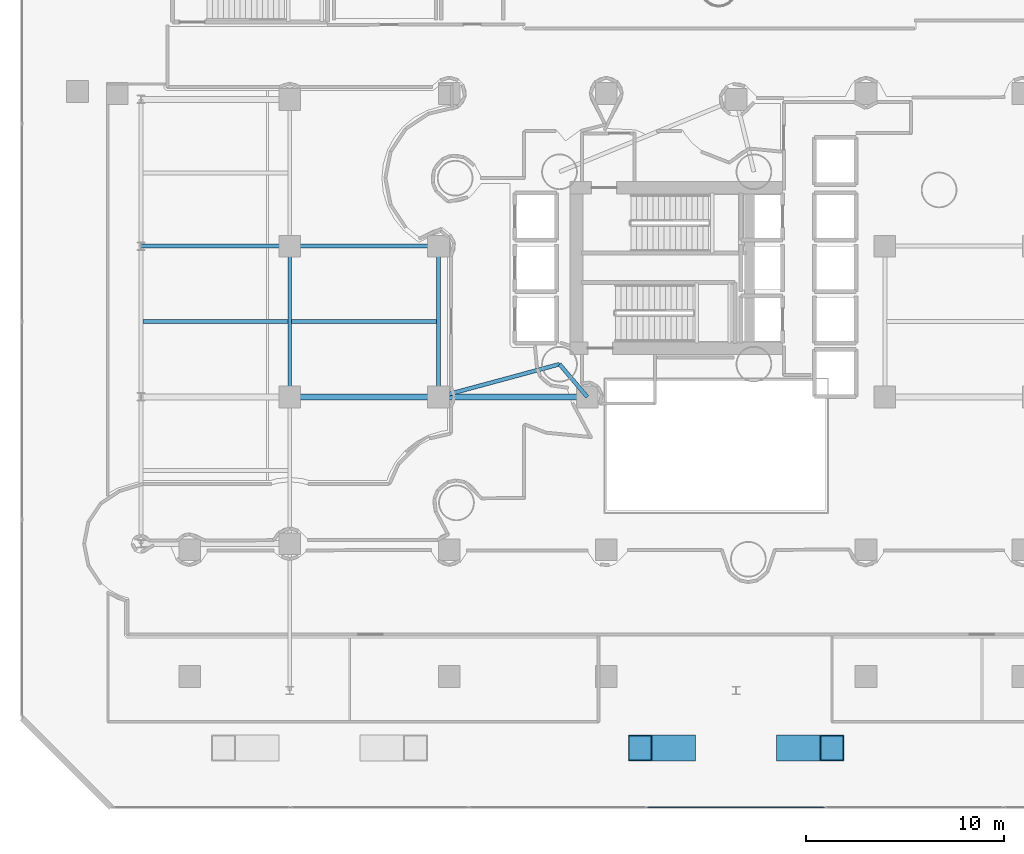
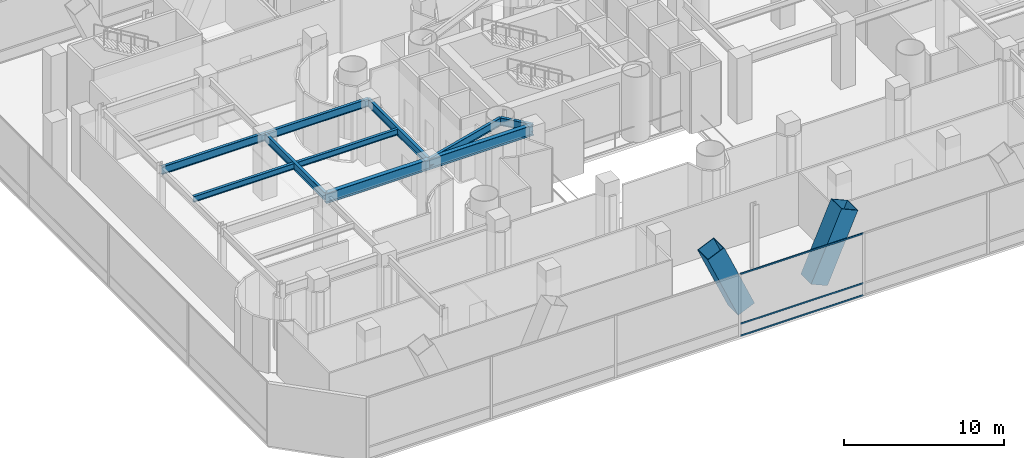
# One storey, part 11 of 42: 10 beams, 5 members, 1 element without a shape of its own.
"""IFC4 building model written with IfcOpenShell, lengths in metres."""

from ifc_helpers import new_model, si_unit, direction, frame, origin, origin_2d, place, context, subcontext, project, spatial, hollow_rectangle, i_section, extrude, material, layer, layer_set, material_profile, profile_set, type_object, element, aggregate, save


model = new_model("IFC4")

# Units and contexts
model_context = context("Model", 3, precision=1e-05, world=origin(), true_north=direction((0.0, 1.0)))
body_context = subcontext(model_context, "Body", "Model", "MODEL_VIEW")
ifc_project = project(units=[si_unit("LENGTHUNIT", "METRE"), si_unit("AREAUNIT", "SQUARE_METRE"), si_unit("VOLUMEUNIT", "CUBIC_METRE"), si_unit("PLANEANGLEUNIT", "RADIAN"), si_unit("MASSUNIT", "GRAM", prefix="KILO")], contexts=[model_context])

# Site, building, storey
site_placement = place(None, origin())
site = spatial("IfcSite", under=ifc_project, at=site_placement, CompositionType="ELEMENT")
building_placement = place(site_placement, origin())
building = spatial("IfcBuilding", under=site, at=building_placement, Name="Qianvela Tower", CompositionType="ELEMENT")
storey_placement = place(building_placement, frame((0.0, 0.0, 6.0)))
storey = spatial("IfcBuildingStorey", under=building, at=storey_placement, Name="L01", CompositionType="ELEMENT", Elevation=6.0)

# Beams
ifc_material_1 = material(Name="Steel Q355B", Category="steel")
ifc_material_profile_1 = material_profile(ifc_material_1, i_section(OverallWidth=0.199951171875, OverallDepth=0.449951171875, WebThickness=0.009033203125, FlangeThickness=0.013916015625, at=origin_2d()), Name="HN450x200x9x14")
ifc_profile_set_1 = profile_set([ifc_material_profile_1], Name="Steel Q355B")
beam_type_1 = type_object("IfcBeamType", Name="BM-HN450-JOIST", PredefinedType="JOIST", material=ifc_profile_set_1)
for number, where, z_axis, x_axis, name in (
    (1, (7.595947265625, 26.0, 4.552978515625), (1.0, 0.0, 0.0), (0.0, 1.0, 0.0), "L01 Secondary Floor Joist 43"),
    (2, (15.095947265625, 26.0, 4.552978515625), (1.0, 0.0, 0.0), (0.0, 1.0, 0.0), "L01 Secondary Floor Joist 45"),
):
    element("IfcBeam", number, at=place(storey_placement, frame(where, z_axis=z_axis, x_axis=x_axis)), inside=storey, type_object=beam_type_1, Name=name, PredefinedType="JOIST", context=body_context, shape_type="SweptSolid", body=[
        extrude(i_section(OverallWidth=0.199951171875, OverallDepth=0.449951171875, WebThickness=0.009033203125, FlangeThickness=0.013916015625, at=origin_2d()), origin(), (0.0, 0.0, 1.0), 7.30810546875),
    ])
ifc_material_2 = material(Name="Steel Q355B", Category="steel")
ifc_material_profile_2 = material_profile(ifc_material_2, i_section(OverallWidth=0.199951171875, OverallDepth=0.60009765625, WebThickness=0.010986328125, FlangeThickness=0.01708984375, at=origin_2d()), Name="HN600x200x11x17")
ifc_profile_set_2 = profile_set([ifc_material_profile_2], Name="Steel Q355B")
beam_type_2 = type_object("IfcBeamType", Name="BM-HN600-GIRD", PredefinedType="BEAM", material=ifc_profile_set_2)
for number, where, z_axis, x_axis, name in (
    (3, (7.5, 29.800048828125, 4.47802734375), (1.0, 0.0, 0.0), (0.0, 1.0, 0.0), "L01 East-West Grid Girder 9"),
    (4, (15.0, 29.800048828125, 4.47802734375), (1.0, 0.0, 0.0), (0.0, 1.0, 0.0), "L01 East-West Grid Girder 10"),
):
    element("IfcBeam", number, at=place(storey_placement, frame(where, z_axis=z_axis, x_axis=x_axis)), inside=storey, type_object=beam_type_2, Name=name, PredefinedType="BEAM", context=body_context, shape_type="SweptSolid", body=[
        extrude(i_section(OverallWidth=0.199951171875, OverallDepth=0.60009765625, WebThickness=0.010986328125, FlangeThickness=0.01708984375, at=origin_2d()), origin(), (0.0, 0.0, 1.0), 7.5),
    ])
for number, where, z_axis, x_axis, name in (
    (5, (15.0, 22.199951171875, 4.47802734375), (0.0, 1.0, 0.0), (-1.0, 0.0, 0.0), "L01 North-South Grid Girder 21"),
    (6, (22.5, 22.199951171875, 4.47802734375), (0.0, 1.0, 0.0), (-1.0, 0.0, 0.0), "L01 North-South Grid Girder 24"),
):
    element("IfcBeam", number, at=place(storey_placement, frame(where, z_axis=z_axis, x_axis=x_axis)), inside=storey, type_object=beam_type_2, Name=name, PredefinedType="BEAM", context=body_context, shape_type="SweptSolid", body=[
        extrude(i_section(OverallWidth=0.199951171875, OverallDepth=0.60009765625, WebThickness=0.010986328125, FlangeThickness=0.01708984375, at=origin_2d()), origin(), (0.0, 0.0, 1.0), 7.60009765625),
    ])
beam_1_placement = place(storey_placement, frame((28.60009765625, 23.85009765625, 4.47802734375), z_axis=(0.646917812917, -0.762559730992, 0.0), x_axis=(0.762559730992, 0.646917812917, 0.0)))
element("IfcBeam", 7, at=beam_1_placement, inside=storey, type_object=beam_type_2, Name="L01 Core Tie Girder 37", PredefinedType="BEAM", context=body_context, shape_type="SweptSolid", body=[
    extrude(i_section(OverallWidth=0.199951171875, OverallDepth=0.60009765625, WebThickness=0.010986328125, FlangeThickness=0.01708984375, at=origin_2d()), origin(), (0.0, 0.0, 1.0), 2.1640625),
])
beam_2_placement = place(storey_placement, frame((28.60009765625, 23.85009765625, 4.47802734375), z_axis=(-0.96530472097, -0.26112601493, 0.0), x_axis=(0.26112601493, -0.96530472097, 0.0)))
element("IfcBeam", 8, at=beam_2_placement, inside=storey, type_object=beam_type_2, Name="L01 Core Tie Girder 38", PredefinedType="BEAM", context=body_context, shape_type="SweptSolid", body=[
    extrude(i_section(OverallWidth=0.199951171875, OverallDepth=0.60009765625, WebThickness=0.010986328125, FlangeThickness=0.01708984375, at=origin_2d()), origin(), (0.0, 0.0, 1.0), 6.3193359375),
])
ifc_material_3 = material(Name="Steel Q355B", Category="steel")
ifc_material_profile_3 = material_profile(ifc_material_3, i_section(OverallWidth=0.300048828125, OverallDepth=0.800048828125, WebThickness=0.013916015625, FlangeThickness=0.02587890625, at=origin_2d()), Name="HN800x300x14x26")
ifc_profile_set_3 = profile_set([ifc_material_profile_3], Name="Steel Q355B")
beam_type_3 = type_object("IfcBeamType", Name="BM-HN800-SPAND", PredefinedType="SPANDREL", material=ifc_profile_set_3)
for number, where, z_axis, x_axis, name in (
    (9, (15.0, 22.199951171875, 4.3779296875), (1.0, 0.0, 0.0), (0.0, 1.0, 0.0), "L01 East-West Grid Girder 4"),
    (10, (22.5, 22.199951171875, 4.3779296875), (1.0, 0.0, 0.0), (0.0, 1.0, 0.0), "L01 East-West Grid Girder 5"),
):
    element("IfcBeam", number, at=place(storey_placement, frame(where, z_axis=z_axis, x_axis=x_axis)), inside=storey, type_object=beam_type_3, Name=name, PredefinedType="SPANDREL", context=body_context, shape_type="SweptSolid", body=[
        extrude(i_section(OverallWidth=0.300048828125, OverallDepth=0.800048828125, WebThickness=0.013916015625, FlangeThickness=0.02587890625, at=origin_2d()), origin(), (0.0, 0.0, 1.0), 7.5),
    ])

# Curtain wall, members
ifc_material_4 = material(Name="Anodised Architectural Aluminium and Low-E Glass", Category="aluminium")
ifc_layer = layer(ifc_material_4, 0.179931640625)
ifc_layer_set = layer_set([ifc_layer], Name="Anodised Architectural Aluminium and Low-E Glass")
curtain_wall_type = type_object("IfcCurtainWallType", Name="CW-COMMONS", PredefinedType="USERDEFINED", material=ifc_layer_set)
curtain_wall_placement = place(storey_placement, origin())
curtain_wall = element("IfcCurtainWall", 11, at=curtain_wall_placement, inside=storey, type_object=curtain_wall_type, Name="L01 CW-COMMONS Curtain Wall 01", ObjectType="CURTAIN_WALL_SYSTEM", PredefinedType="USERDEFINED")
ifc_material_5 = material(Name="Anodised Architectural Aluminium 6063-T6", Category="aluminium")
ifc_material_profile_4 = material_profile(ifc_material_5, hollow_rectangle(XDim=0.06005859375, YDim=0.114990234375, WallThickness=0.00390625, at=origin_2d()), Name="ALU-TRAN-60x115")
ifc_profile_set_4 = profile_set([ifc_material_profile_4], Name="Anodised Architectural Aluminium 6063-T6")
member_type_1 = type_object("IfcMemberType", Name="CW-COMMONS-TRAN", PredefinedType="USERDEFINED", material=ifc_profile_set_4)
member_1_placement = place(storey_placement, frame((33.042236328125, 1.5, 0.030029296875), z_axis=(1.0, 0.0, 0.0), x_axis=(0.0, 1.0, 0.0)))
member_1 = element("IfcMember", 12, at=member_1_placement, type_object=member_type_1, Name="CW-2 transom 4.1", ObjectType="TRANSOM", PredefinedType="USERDEFINED", context=body_context, shape_type="SweptSolid", body=[
    extrude(hollow_rectangle(XDim=0.06005859375, YDim=0.114990234375, WallThickness=0.00390625, at=origin_2d()), origin(), (0.0, 0.0, 1.0), 8.91552734375),
])
member_2_placement = place(storey_placement, frame((33.042236328125, 1.5, 0.949951171875), z_axis=(1.0, 0.0, 0.0), x_axis=(0.0, 1.0, 0.0)))
member_2 = element("IfcMember", 13, at=member_2_placement, type_object=member_type_1, Name="CW-2 transom 4.2", ObjectType="TRANSOM", PredefinedType="USERDEFINED", context=body_context, shape_type="SweptSolid", body=[
    extrude(hollow_rectangle(XDim=0.06005859375, YDim=0.114990234375, WallThickness=0.00390625, at=origin_2d()), origin(), (0.0, 0.0, 1.0), 8.91552734375),
])
member_3_placement = place(storey_placement, frame((33.042236328125, 1.5, 4.75), z_axis=(1.0, 0.0, 0.0), x_axis=(0.0, 1.0, 0.0)))
member_3 = element("IfcMember", 14, at=member_3_placement, type_object=member_type_1, Name="CW-2 transom 4.3", ObjectType="TRANSOM", PredefinedType="USERDEFINED", context=body_context, shape_type="SweptSolid", body=[
    extrude(hollow_rectangle(XDim=0.06005859375, YDim=0.114990234375, WallThickness=0.00390625, at=origin_2d()), origin(), (0.0, 0.0, 1.0), 8.91552734375),
])
aggregate(curtain_wall, [member_1, member_2, member_3])

# Members
ifc_material_6 = material(Name="Steel Q420GJC", Category="steel")
ifc_material_profile_5 = material_profile(ifc_material_6, hollow_rectangle(XDim=1.300048828125, YDim=1.300048828125, WallThickness=0.044921875, at=origin_2d()), Name="VBOX-1300x1300x45")
ifc_profile_set_5 = profile_set([ifc_material_profile_5], Name="Steel Q420GJC")
member_type_2 = type_object("IfcMemberType", Name="MBR-VCOL-1300", PredefinedType="POST", material=ifc_profile_set_5)
for number, where, z_axis, x_axis, name in (
    (15, (34.860595703125, 4.5, 0.0), (-0.402618783225, 0.0, 0.915367748719), (0.0, -1.0, 0.0), "L01 Concourse Inclined V-Column VC-S2 Leg L"),
    (16, (40.139404296875, 4.5, 0.0), (0.402618783225, 0.0, 0.915367748719), (0.0, 1.0, 0.0), "L01 Concourse Inclined V-Column VC-S2 Leg R"),
):
    element("IfcMember", number, at=place(storey_placement, frame(where, z_axis=z_axis, x_axis=x_axis)), inside=storey, type_object=member_type_2, Name=name, PredefinedType="POST", context=body_context, shape_type="SweptSolid", body=[
        extrude(hollow_rectangle(XDim=1.300048828125, YDim=1.300048828125, WallThickness=0.044921875, at=origin_2d()), origin(), (0.0, 0.0, 1.0), 5.46240234375),
    ])

save(model, "model.ifc")
